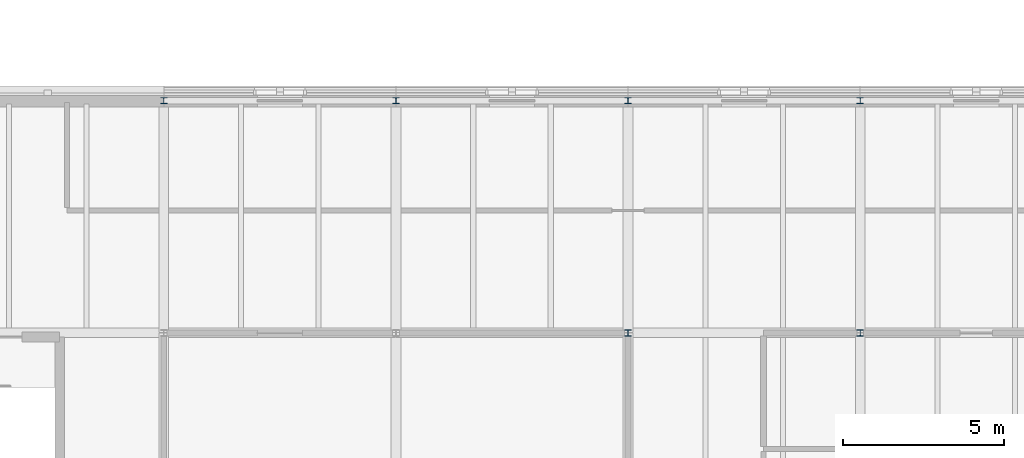
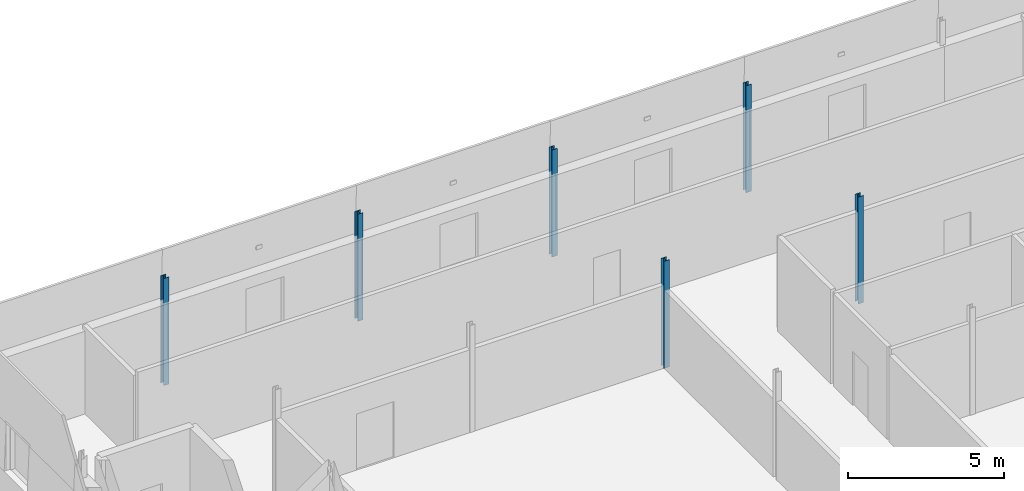
# One storey, part 11 of 91: 6 columns.
"""IFC4 building model written with IfcOpenShell, lengths in metres."""

from ifc_helpers import new_model, si_unit, direction, frame, origin, origin_2d, place, context, subcontext, project, spatial, i_section, extrude, material, material_profile, profile_set, type_object, element, save


model = new_model("IFC4")

# Units and contexts
model_context = context("Model", 3, precision=1e-05, world=origin(), true_north=direction((0.0, 1.0)))
body_context = subcontext(model_context, "Body", "Model", "MODEL_VIEW")
ifc_project = project(units=[si_unit("LENGTHUNIT", "METRE"), si_unit("AREAUNIT", "SQUARE_METRE"), si_unit("VOLUMEUNIT", "CUBIC_METRE"), si_unit("PLANEANGLEUNIT", "RADIAN"), si_unit("MASSUNIT", "GRAM", prefix="KILO")], contexts=[model_context])

# Site, building, storey
site_placement = place(None, origin())
site = spatial("IfcSite", under=ifc_project, at=site_placement, CompositionType="ELEMENT")
building_placement = place(site_placement, origin())
building = spatial("IfcBuilding", under=site, at=building_placement, Name="Narikvali Park Central Library", CompositionType="ELEMENT")
storey_placement = place(building_placement, frame((0.0, 0.0, 14.39990234375)))
storey = spatial("IfcBuildingStorey", under=building, at=storey_placement, Name="L03", CompositionType="ELEMENT", Elevation=14.39990234375)

# Columns
ifc_material = material(Name="Steel S355", Category="steel")
ifc_material_profile = material_profile(ifc_material, i_section(OverallWidth=0.199951171875, OverallDepth=0.199951171875, WebThickness=0.009033203125, FlangeThickness=0.014892578125, FilletRadius=0.01806640625, at=origin_2d()), Name="HEB 200")
ifc_profile_set = profile_set([ifc_material_profile], Name="Steel S355")
column_type = type_object("IfcColumnType", Name="Steel Column HEB200", PredefinedType="COLUMN", material=ifc_profile_set)
for number, where, z_axis, x_axis, name in (
    (1, (129.60009765625, 28.800048828125, 0.0), (0.0, 0.0, 1.0), (1.0, 0.0, 0.0), "V6 L03 Column (129.6,28.8)"),
    (2, (136.800048828125, 28.800048828125, 0.0), (0.0, 0.0, 1.0), (1.0, 0.0, 0.0), "V6 L03 Column (136.8,28.8)"),
    (3, (144.0, 21.60009765625, 0.0), (0.0, 0.0, 1.0), (1.0, 0.0, 0.0), "V6 L03 Column (144.0,21.6)"),
    (4, (144.0, 28.800048828125, 0.0), (0.0, 0.0, 1.0), (1.0, 0.0, 0.0), "V6 L03 Column (144.0,28.8)"),
    (5, (151.199951171875, 21.60009765625, 0.0), (0.0, 0.0, 1.0), (1.0, 0.0, 0.0), "V6 L03 Column (151.2,21.6)"),
    (6, (151.199951171875, 28.800048828125, 0.0), (0.0, 0.0, 1.0), (1.0, 0.0, 0.0), "V6 L03 Column (151.2,28.8)"),
):
    element("IfcColumn", number, at=place(storey_placement, frame(where, z_axis=z_axis, x_axis=x_axis)), inside=storey, type_object=column_type, Name=name, PredefinedType="COLUMN", context=body_context, shape_type="SweptSolid", body=[
        extrude(i_section(OverallWidth=0.199951171875, OverallDepth=0.199951171875, WebThickness=0.009033203125, FlangeThickness=0.014892578125, FilletRadius=0.01806640625, at=origin_2d()), origin(), (0.0, 0.0, 1.0), 4.2001953125),
    ])

save(model, "model.ifc")
